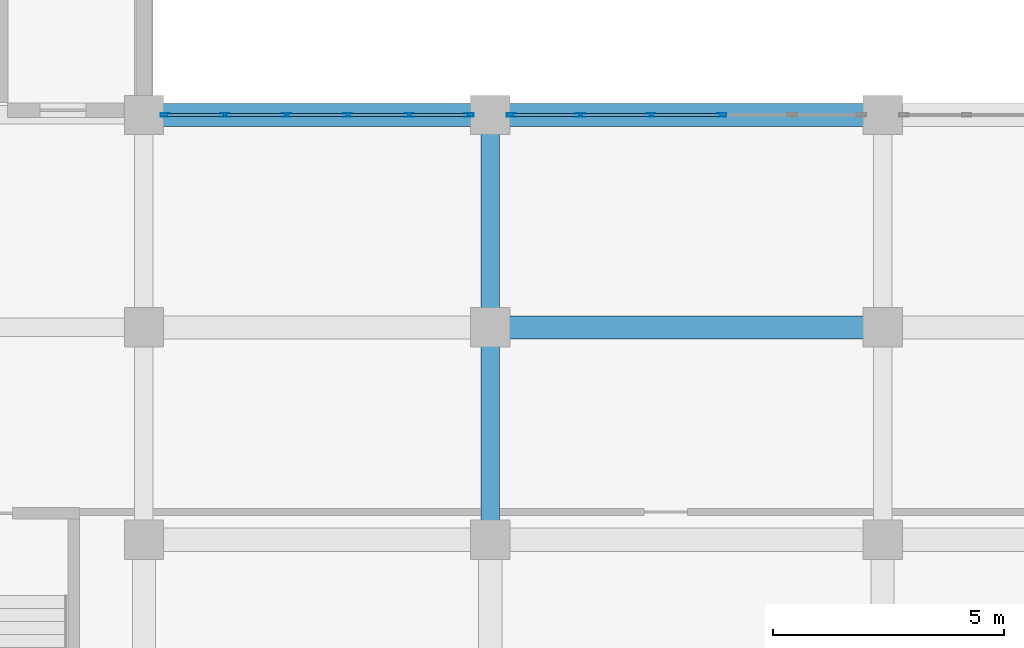
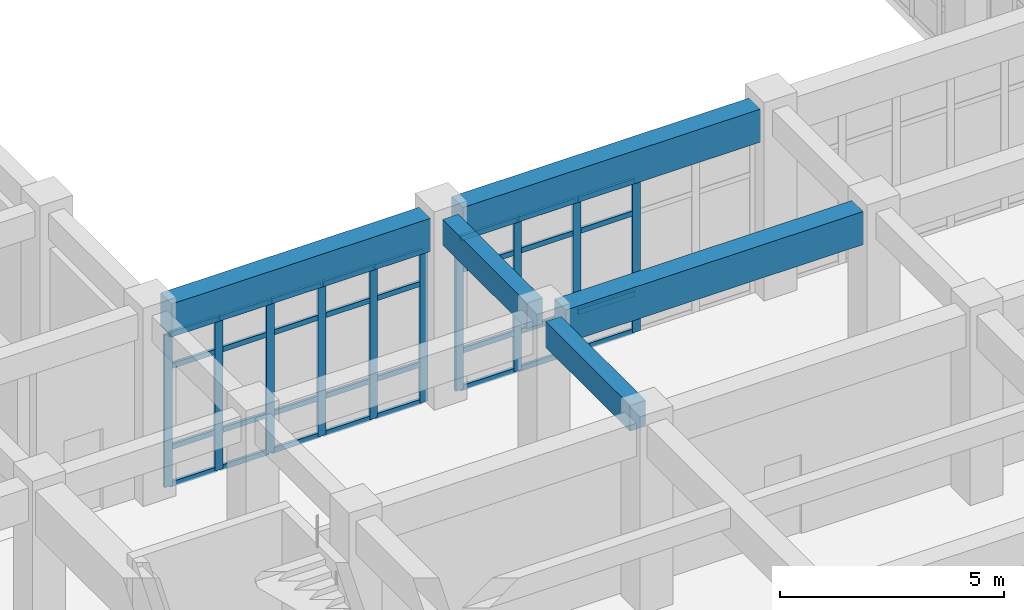
# One storey, part 9 of 84: 42 members, 5 beams, 2 elements without a shape of their own.
"""IFC4 building model written with IfcOpenShell, lengths in metres."""

import ifcopenshell
import ifcopenshell.guid

model = None  # the IFC model being written
_history = None  # IfcOwnerHistory: only IFC2X3 demands one
_inside = {}  # id of a spatial element -> (the spatial element, [elements in it])
_under = {}  # id of a project, library or spatial element -> (it, [spatial elements below it])
_declared = {}  # id of a project -> (the project, [libraries it declares])
_typed = {}  # id of a type object -> (the type object, [elements of that type])
_made_of = {}  # id of a material, layer set ... -> (it, [elements and type objects made of it])


def new_model(schema):
    """Start an empty IFC model of exactly this schema.

    Asked for "IFC4X3", IfcOpenShell would pick the latest addendum, in which some entities
    have other attributes; the version numbers below select the first issue.
    IFC2X3 requires an IfcOwnerHistory on every rooted entity: one is made here for all.
    """
    global model, _history
    if schema == "IFC4X3":
        model = ifcopenshell.file(schema_version=(4, 3, 0, 0))
    else:
        model = ifcopenshell.file(schema=schema)
    _inside.clear()
    _under.clear()
    _declared.clear()
    _typed.clear()
    _made_of.clear()
    _history = None
    if model.schema == "IFC2X3":
        org = make("IfcOrganization", Name="unknown")
        user = make(
            "IfcPersonAndOrganization",
            ThePerson=make("IfcPerson", FamilyName="unknown"),
            TheOrganization=org,
        )
        app = make(
            "IfcApplication",
            ApplicationDeveloper=org,
            Version="unknown",
            ApplicationFullName="unknown",
            ApplicationIdentifier="unknown",
        )
        _history = make(
            "IfcOwnerHistory",
            OwningUser=user,
            OwningApplication=app,
            ChangeAction="ADDED",
            CreationDate=0,
        )
    return model


def make(cls, **values):
    """One entity of the class cls with the attributes given. An attribute that is None is left unset."""
    return model.create_entity(
        cls, **{name: value for name, value in values.items() if value is not None}
    )


def rooted(cls, **values):
    """An entity with a GlobalId (a new one), such as an element, a storey or a relation."""
    return make(cls, GlobalId=ifcopenshell.guid.new(), OwnerHistory=_history, **values)


def si_unit(unit_type, name, prefix=None):
    """IfcSIUnit, for example si_unit("LENGTHUNIT", "METRE", prefix="MILLI")."""
    return make("IfcSIUnit", UnitType=unit_type, Prefix=prefix, Name=name)


def assignment(units):
    """IfcUnitAssignment: the units of a project."""
    return None if units is None else make("IfcUnitAssignment", Units=units)


def point(xyz):
    """IfcCartesianPoint."""
    return None if xyz is None else make("IfcCartesianPoint", Coordinates=xyz)


def direction(xyz):
    """IfcDirection."""
    return None if xyz is None else make("IfcDirection", DirectionRatios=xyz)


def frame(location, z_axis=None, x_axis=None):
    """IfcAxis2Placement3D, a coordinate frame: its origin and axes. An axis left out is left unset."""
    return make(
        "IfcAxis2Placement3D",
        Location=point(location),
        Axis=direction(z_axis),
        RefDirection=direction(x_axis),
    )


def frame_2d(location, x_axis=None):
    """IfcAxis2Placement2D, a coordinate frame in the plane: its origin and x axis."""
    return make(
        "IfcAxis2Placement2D", Location=point(location), RefDirection=direction(x_axis)
    )


def origin():
    """The frame at (0, 0, 0) with its axes left unset."""
    return frame((0.0, 0.0, 0.0))


def origin_2d():
    """The frame at (0, 0) in the plane with its x axis left unset."""
    return frame_2d((0.0, 0.0))


def place(relative_to, where):
    """IfcLocalPlacement: puts the frame where relative to a parent placement (None: the world)."""
    return make(
        "IfcLocalPlacement", PlacementRelTo=relative_to, RelativePlacement=where
    )


def context(
    kind, dimensions, precision=None, world=None, true_north=None, identifier=None
):
    """IfcGeometricRepresentationContext, for example the 3D "Model" context."""
    return make(
        "IfcGeometricRepresentationContext",
        ContextIdentifier=identifier,
        ContextType=kind,
        CoordinateSpaceDimension=dimensions,
        Precision=precision,
        WorldCoordinateSystem=world,
        TrueNorth=true_north,
    )


def subcontext(parent, identifier, kind, view, scale=None):
    """IfcGeometricRepresentationSubContext, for example "Body" below "Model"."""
    return make(
        "IfcGeometricRepresentationSubContext",
        ContextIdentifier=identifier,
        ContextType=kind,
        ParentContext=parent,
        TargetScale=scale,
        TargetView=view,
    )


def project(units=None, contexts=None):
    """IfcProject with its units and contexts."""
    return rooted(
        "IfcProject",
        Name="project",
        RepresentationContexts=contexts,
        UnitsInContext=assignment(units),
    )


def spatial(cls, under=None, at=None, **own):
    """A site, building, storey or space (cls), placed at a placement, below another one or the project."""
    s = rooted(cls, ObjectPlacement=at, **own)
    if under is not None:
        _under.setdefault(under.id(), (under, []))[1].append(s)
    return s


def profile(cls, at=None, kind="AREA", **sizes):
    """A parametric profile (cls). Its sizes go by their IFC names, for example OverallWidth=200.0."""
    return make(cls, ProfileType=kind, Position=at, **sizes)


def rectangle(**sizes):
    """IfcRectangleProfileDef."""
    return profile("IfcRectangleProfileDef", **sizes)


def hollow_rectangle(**sizes):
    """IfcRectangleHollowProfileDef."""
    return profile("IfcRectangleHollowProfileDef", **sizes)


def extrude(swept, where, along, depth):
    """IfcExtrudedAreaSolid: the profile swept, set in the frame where, extruded along a direction by depth."""
    return make(
        "IfcExtrudedAreaSolid",
        SweptArea=swept,
        Position=where,
        ExtrudedDirection=direction(along),
        Depth=depth,
    )


def shape(context_of_items, identifier, shape_type, items):
    """IfcShapeRepresentation: the items that make up one representation, for example the "Body"."""
    return make(
        "IfcShapeRepresentation",
        ContextOfItems=context_of_items,
        RepresentationIdentifier=identifier,
        RepresentationType=shape_type,
        Items=items,
    )


def material(Name=None, Category=None):
    """IfcMaterial."""
    return make("IfcMaterial", Name=Name, Category=Category)


def layer(
    of_material, thickness, ventilated=None, Name=None, Category=None, Priority=None
):
    """IfcMaterialLayer: one layer of a wall or slab, of a material (None: an air gap)."""
    return make(
        "IfcMaterialLayer",
        Material=of_material,
        LayerThickness=thickness,
        IsVentilated=ventilated,
        Name=Name,
        Category=Category,
        Priority=Priority,
    )


def layer_set(layers, Name=None):
    """IfcMaterialLayerSet."""
    return make("IfcMaterialLayerSet", MaterialLayers=layers, LayerSetName=Name)


def material_profile(
    of_material, cross_section, Name=None, Category=None, Priority=None
):
    """IfcMaterialProfile: a cross section and its material."""
    return make(
        "IfcMaterialProfile",
        Name=Name,
        Material=of_material,
        Profile=cross_section,
        Priority=Priority,
        Category=Category,
    )


def profile_set(profiles, Name=None, composite=None):
    """IfcMaterialProfileSet."""
    return make(
        "IfcMaterialProfileSet",
        Name=Name,
        MaterialProfiles=profiles,
        CompositeProfile=composite,
    )


def made_of(thing, what):
    """Note that an element or type object is made of a material, layer set ...; save() writes the relation."""
    if what is not None:
        _made_of.setdefault(what.id(), (what, []))[1].append(thing)
    return thing


def type_object(cls, material=None, **own):
    """A type object (cls), such as IfcWallType, which elements share."""
    return made_of(rooted(cls, **own), material)


def element(
    cls,
    number,
    at=None,
    inside=None,
    cuts=None,
    type_object=None,
    material=None,
    context=None,
    identifier="Body",
    shape_type=None,
    held_by="IfcProductDefinitionShape",
    body=None,
    shapes=None,
    **own,
):
    """One element of the class cls, such as IfcWall. Its Tag is "e" and its number.

    at: its placement. inside: the storey or other place that contains it. cuts: it is an
    opening in that element (IfcRelVoidsElement). A single representation is given by context,
    identifier, shape_type and body (its items); several are given by shapes. held_by: the class
    of the entity that holds the representations. save() writes the other relations.
    """
    e = rooted(cls, Tag="e%d" % number, ObjectPlacement=at, **own)
    if body is not None:
        shapes = [shape(context, identifier, shape_type, body)]
    if shapes is not None:
        e.Representation = make(held_by, Representations=shapes)
    if inside is not None:
        _inside.setdefault(inside.id(), (inside, []))[1].append(e)
    if cuts is not None:
        rooted(
            "IfcRelVoidsElement", RelatingBuildingElement=cuts, RelatedOpeningElement=e
        )
    if type_object is not None:
        _typed.setdefault(type_object.id(), (type_object, []))[1].append(e)
    return made_of(e, material)


def aggregate(whole, parts):
    """IfcRelAggregates: a whole, such as a stair, and the parts it consists of."""
    return rooted("IfcRelAggregates", RelatingObject=whole, RelatedObjects=parts)


def save(model, path):
    """Write the relations noted so far, then the file.

    IfcRelAggregates (storeys below a building ...), IfcRelContainedInSpatialStructure (elements
    in a storey), IfcRelDefinesByType, IfcRelAssociatesMaterial and IfcRelDeclares: one each for
    every whole, place, type object, material and project.
    """
    for whole, parts in _under.values():
        aggregate(whole, parts)
    for where, things in _inside.values():
        rooted(
            "IfcRelContainedInSpatialStructure",
            RelatedElements=things,
            RelatingStructure=where,
        )
    for kind, things in _typed.values():
        rooted("IfcRelDefinesByType", RelatedObjects=things, RelatingType=kind)
    for what, things in _made_of.values():
        rooted("IfcRelAssociatesMaterial", RelatedObjects=things, RelatingMaterial=what)
    for by, libraries in _declared.values():
        rooted("IfcRelDeclares", RelatingContext=by, RelatedDefinitions=libraries)
    model.write(path)


model = new_model("IFC4")

# Units and contexts
model_context = context("Model", 3, precision=1e-05, world=origin(), true_north=direction((0.0, 1.0)))
body_context = subcontext(model_context, "Body", "Model", "MODEL_VIEW")
ifc_project = project(units=[si_unit("LENGTHUNIT", "METRE"), si_unit("AREAUNIT", "SQUARE_METRE"), si_unit("VOLUMEUNIT", "CUBIC_METRE"), si_unit("PLANEANGLEUNIT", "RADIAN"), si_unit("MASSUNIT", "GRAM", prefix="KILO")], contexts=[model_context])

# Site, building, storey
site_placement = place(None, origin())
site = spatial("IfcSite", under=ifc_project, at=site_placement, CompositionType="ELEMENT")
building_placement = place(site_placement, origin())
building = spatial("IfcBuilding", under=site, at=building_placement, Name="Muzn Square Opera House", CompositionType="ELEMENT")
storey_placement = place(building_placement, origin())
storey = spatial("IfcBuildingStorey", under=building, at=storey_placement, Name="L00", CompositionType="ELEMENT", Elevation=0.0)

# Curtain wall, members
ifc_material_1 = material(Name="Low-E laminated acoustic double glazing", Category="glass")
ifc_layer_1 = layer(ifc_material_1, 0.159912109375, Name="Low-E laminated acoustic double glazing", Category="glass")
ifc_layer_set_1 = layer_set([ifc_layer_1], Name="Low-E laminated acoustic double glazing")
curtain_wall_type_1 = type_object("IfcCurtainWallType", Name="Glazed Curtain Wall WestCloisterS 6650x4150", PredefinedType="USERDEFINED", material=ifc_layer_set_1)
curtain_wall_1_placement = place(storey_placement, origin())
curtain_wall_1 = element("IfcCurtainWall", 1, at=curtain_wall_1_placement, inside=storey, type_object=curtain_wall_type_1, Name="Glazed Curtain Wall CW-L00-069", ObjectType="GLAZED CURTAIN WALL", PredefinedType="USERDEFINED")
ifc_material_2 = material(Name="Anodised bronze aluminium 6063-T6", Category="metal")
ifc_material_profile_1 = material_profile(ifc_material_2, hollow_rectangle(XDim=0.070068359375, YDim=0.199951171875, WallThickness=0.0048828125, at=origin_2d()), Name="ALU 200x70x5", Category="metal")
ifc_profile_set_1 = profile_set([ifc_material_profile_1], Name="Anodised bronze aluminium 6063-T6")
member_type_1 = type_object("IfcMemberType", Name="Curtain Wall Mullion 200x70", PredefinedType="MULLION", material=ifc_profile_set_1)
member_1_placement = place(storey_placement, frame((19.4599609375, 31.199951171875, 0.0), z_axis=(0.0, 0.0, 1.0), x_axis=(0.0, 1.0, 0.0)))
member_1 = element("IfcMember", 2, at=member_1_placement, type_object=member_type_1, Name="CW-WCS-66x41 mullion 1", PredefinedType="MULLION", context=body_context, shape_type="SweptSolid", body=[
    extrude(hollow_rectangle(XDim=0.070068359375, YDim=0.199951171875, WallThickness=0.0048828125, at=origin_2d()), origin(), (0.0, 0.0, 1.0), 4.14990234375),
])
member_2_placement = place(storey_placement, frame((20.7548828125, 31.199951171875, 0.0), z_axis=(0.0, 0.0, 1.0), x_axis=(0.0, 1.0, 0.0)))
member_2 = element("IfcMember", 3, at=member_2_placement, type_object=member_type_1, Name="CW-WCS-66x41 mullion 2", PredefinedType="MULLION", context=body_context, shape_type="SweptSolid", body=[
    extrude(hollow_rectangle(XDim=0.070068359375, YDim=0.199951171875, WallThickness=0.0048828125, at=origin_2d()), origin(), (0.0, 0.0, 1.0), 4.14990234375),
])
member_3_placement = place(storey_placement, frame((22.0849609375, 31.199951171875, 0.0), z_axis=(0.0, 0.0, 1.0), x_axis=(0.0, 1.0, 0.0)))
member_3 = element("IfcMember", 4, at=member_3_placement, type_object=member_type_1, Name="CW-WCS-66x41 mullion 3", PredefinedType="MULLION", context=body_context, shape_type="SweptSolid", body=[
    extrude(hollow_rectangle(XDim=0.070068359375, YDim=0.199951171875, WallThickness=0.0048828125, at=origin_2d()), origin(), (0.0, 0.0, 1.0), 4.14990234375),
])
member_4_placement = place(storey_placement, frame((23.4150390625, 31.199951171875, 0.0), z_axis=(0.0, 0.0, 1.0), x_axis=(0.0, 1.0, 0.0)))
member_4 = element("IfcMember", 5, at=member_4_placement, type_object=member_type_1, Name="CW-WCS-66x41 mullion 4", PredefinedType="MULLION", context=body_context, shape_type="SweptSolid", body=[
    extrude(hollow_rectangle(XDim=0.070068359375, YDim=0.199951171875, WallThickness=0.0048828125, at=origin_2d()), origin(), (0.0, 0.0, 1.0), 4.14990234375),
])
member_5_placement = place(storey_placement, frame((24.7451171875, 31.199951171875, 0.0), z_axis=(0.0, 0.0, 1.0), x_axis=(0.0, 1.0, 0.0)))
member_5 = element("IfcMember", 6, at=member_5_placement, type_object=member_type_1, Name="CW-WCS-66x41 mullion 5", PredefinedType="MULLION", context=body_context, shape_type="SweptSolid", body=[
    extrude(hollow_rectangle(XDim=0.070068359375, YDim=0.199951171875, WallThickness=0.0048828125, at=origin_2d()), origin(), (0.0, 0.0, 1.0), 4.14990234375),
])
member_6_placement = place(storey_placement, frame((26.0400390625, 31.199951171875, 0.0), z_axis=(0.0, 0.0, 1.0), x_axis=(0.0, 1.0, 0.0)))
member_6 = element("IfcMember", 7, at=member_6_placement, type_object=member_type_1, Name="CW-WCS-66x41 mullion 6", PredefinedType="MULLION", context=body_context, shape_type="SweptSolid", body=[
    extrude(hollow_rectangle(XDim=0.070068359375, YDim=0.199951171875, WallThickness=0.0048828125, at=origin_2d()), origin(), (0.0, 0.0, 1.0), 4.14990234375),
])

ifc_layer_2 = layer(ifc_material_1, 0.159912109375, Name="Low-E laminated acoustic double glazing", Category="glass")
ifc_layer_set_2 = layer_set([ifc_layer_2], Name="Low-E laminated acoustic double glazing")
curtain_wall_type_2 = type_object("IfcCurtainWallType", Name="Glazed Curtain Wall WestCloisterS 7650x4150", PredefinedType="USERDEFINED", material=ifc_layer_set_2)
curtain_wall_2_placement = place(storey_placement, origin())
curtain_wall_2 = element("IfcCurtainWall", 8, at=curtain_wall_2_placement, inside=storey, type_object=curtain_wall_type_2, Name="Glazed Curtain Wall CW-L00-071", ObjectType="GLAZED CURTAIN WALL", PredefinedType="USERDEFINED")
member_7_placement = place(storey_placement, frame((26.9599609375, 31.199951171875, 0.0), z_axis=(0.0, 0.0, 1.0), x_axis=(0.0, 1.0, 0.0)))
member_7 = element("IfcMember", 9, at=member_7_placement, type_object=member_type_1, Name="CW-WCS-76x41 mullion 1", PredefinedType="MULLION", context=body_context, shape_type="SweptSolid", body=[
    extrude(hollow_rectangle(XDim=0.070068359375, YDim=0.199951171875, WallThickness=0.0048828125, at=origin_2d()), origin(), (0.0, 0.0, 1.0), 4.14990234375),
])
member_8_placement = place(storey_placement, frame((28.455078125, 31.199951171875, 0.0), z_axis=(0.0, 0.0, 1.0), x_axis=(0.0, 1.0, 0.0)))
member_8 = element("IfcMember", 10, at=member_8_placement, type_object=member_type_1, Name="CW-WCS-76x41 mullion 2", PredefinedType="MULLION", context=body_context, shape_type="SweptSolid", body=[
    extrude(hollow_rectangle(XDim=0.070068359375, YDim=0.199951171875, WallThickness=0.0048828125, at=origin_2d()), origin(), (0.0, 0.0, 1.0), 4.14990234375),
])
member_9_placement = place(storey_placement, frame((29.985107421875, 31.199951171875, 0.0), z_axis=(0.0, 0.0, 1.0), x_axis=(0.0, 1.0, 0.0)))
member_9 = element("IfcMember", 11, at=member_9_placement, type_object=member_type_1, Name="CW-WCS-76x41 mullion 3", PredefinedType="MULLION", context=body_context, shape_type="SweptSolid", body=[
    extrude(hollow_rectangle(XDim=0.070068359375, YDim=0.199951171875, WallThickness=0.0048828125, at=origin_2d()), origin(), (0.0, 0.0, 1.0), 4.14990234375),
])
member_10_placement = place(storey_placement, frame((31.514892578125, 31.199951171875, 0.0), z_axis=(0.0, 0.0, 1.0), x_axis=(0.0, 1.0, 0.0)))
member_10 = element("IfcMember", 12, at=member_10_placement, type_object=member_type_1, Name="CW-WCS-76x41 mullion 4", PredefinedType="MULLION", context=body_context, shape_type="SweptSolid", body=[
    extrude(hollow_rectangle(XDim=0.070068359375, YDim=0.199951171875, WallThickness=0.0048828125, at=origin_2d()), origin(), (0.0, 0.0, 1.0), 4.14990234375),
])

# Member
ifc_material_profile_2 = material_profile(ifc_material_2, hollow_rectangle(XDim=0.070068359375, YDim=0.139892578125, WallThickness=0.00390625, at=origin_2d()), Name="ALU 140x70x4", Category="metal")
ifc_profile_set_2 = profile_set([ifc_material_profile_2], Name="Anodised bronze aluminium 6063-T6")
member_type_2 = type_object("IfcMemberType", Name="Curtain Wall Transom 140x70", PredefinedType="USERDEFINED", material=ifc_profile_set_2)
member_11_placement = place(storey_placement, frame((19.4951171875, 31.199951171875, 0.034912109375), z_axis=(1.0, 0.0, 0.0), x_axis=(0.0, 1.0, 0.0)))
member_11 = element("IfcMember", 13, at=member_11_placement, type_object=member_type_2, Name="CW-WCS-66x41 transom 1.1", ObjectType="TRANSOM", PredefinedType="USERDEFINED", context=body_context, shape_type="SweptSolid", body=[
    extrude(hollow_rectangle(XDim=0.070068359375, YDim=0.139892578125, WallThickness=0.00390625, at=origin_2d()), origin(), (0.0, 0.0, 1.0), 1.224853515625),
])

member_12_placement = place(storey_placement, frame((19.4951171875, 31.199951171875, 1.050048828125), z_axis=(1.0, 0.0, 0.0), x_axis=(0.0, 1.0, 0.0)))
member_12 = element("IfcMember", 14, at=member_12_placement, type_object=member_type_2, Name="CW-WCS-66x41 transom 1.2", ObjectType="TRANSOM", PredefinedType="USERDEFINED", context=body_context, shape_type="SweptSolid", body=[
    extrude(hollow_rectangle(XDim=0.070068359375, YDim=0.139892578125, WallThickness=0.00390625, at=origin_2d()), origin(), (0.0, 0.0, 1.0), 1.224853515625),
])

member_13_placement = place(storey_placement, frame((19.4951171875, 31.199951171875, 3.25), z_axis=(1.0, 0.0, 0.0), x_axis=(0.0, 1.0, 0.0)))
member_13 = element("IfcMember", 15, at=member_13_placement, type_object=member_type_2, Name="CW-WCS-66x41 transom 1.3", ObjectType="TRANSOM", PredefinedType="USERDEFINED", context=body_context, shape_type="SweptSolid", body=[
    extrude(hollow_rectangle(XDim=0.070068359375, YDim=0.139892578125, WallThickness=0.00390625, at=origin_2d()), origin(), (0.0, 0.0, 1.0), 1.224853515625),
])

member_14_placement = place(storey_placement, frame((19.4951171875, 31.199951171875, 4.114990234375), z_axis=(1.0, 0.0, 0.0), x_axis=(0.0, 1.0, 0.0)))
member_14 = element("IfcMember", 16, at=member_14_placement, type_object=member_type_2, Name="CW-WCS-66x41 transom 1.4", ObjectType="TRANSOM", PredefinedType="USERDEFINED", context=body_context, shape_type="SweptSolid", body=[
    extrude(hollow_rectangle(XDim=0.070068359375, YDim=0.139892578125, WallThickness=0.00390625, at=origin_2d()), origin(), (0.0, 0.0, 1.0), 1.224853515625),
])

member_15_placement = place(storey_placement, frame((20.7900390625, 31.199951171875, 0.034912109375), z_axis=(1.0, 0.0, 0.0), x_axis=(0.0, 1.0, 0.0)))
member_15 = element("IfcMember", 17, at=member_15_placement, type_object=member_type_2, Name="CW-WCS-66x41 transom 2.1", ObjectType="TRANSOM", PredefinedType="USERDEFINED", context=body_context, shape_type="SweptSolid", body=[
    extrude(hollow_rectangle(XDim=0.070068359375, YDim=0.139892578125, WallThickness=0.00390625, at=origin_2d()), origin(), (0.0, 0.0, 1.0), 1.260009765625),
])

member_16_placement = place(storey_placement, frame((20.7900390625, 31.199951171875, 1.050048828125), z_axis=(1.0, 0.0, 0.0), x_axis=(0.0, 1.0, 0.0)))
member_16 = element("IfcMember", 18, at=member_16_placement, type_object=member_type_2, Name="CW-WCS-66x41 transom 2.2", ObjectType="TRANSOM", PredefinedType="USERDEFINED", context=body_context, shape_type="SweptSolid", body=[
    extrude(hollow_rectangle(XDim=0.070068359375, YDim=0.139892578125, WallThickness=0.00390625, at=origin_2d()), origin(), (0.0, 0.0, 1.0), 1.260009765625),
])

member_17_placement = place(storey_placement, frame((20.7900390625, 31.199951171875, 3.25), z_axis=(1.0, 0.0, 0.0), x_axis=(0.0, 1.0, 0.0)))
member_17 = element("IfcMember", 19, at=member_17_placement, type_object=member_type_2, Name="CW-WCS-66x41 transom 2.3", ObjectType="TRANSOM", PredefinedType="USERDEFINED", context=body_context, shape_type="SweptSolid", body=[
    extrude(hollow_rectangle(XDim=0.070068359375, YDim=0.139892578125, WallThickness=0.00390625, at=origin_2d()), origin(), (0.0, 0.0, 1.0), 1.260009765625),
])

member_18_placement = place(storey_placement, frame((20.7900390625, 31.199951171875, 4.114990234375), z_axis=(1.0, 0.0, 0.0), x_axis=(0.0, 1.0, 0.0)))
member_18 = element("IfcMember", 20, at=member_18_placement, type_object=member_type_2, Name="CW-WCS-66x41 transom 2.4", ObjectType="TRANSOM", PredefinedType="USERDEFINED", context=body_context, shape_type="SweptSolid", body=[
    extrude(hollow_rectangle(XDim=0.070068359375, YDim=0.139892578125, WallThickness=0.00390625, at=origin_2d()), origin(), (0.0, 0.0, 1.0), 1.260009765625),
])

member_19_placement = place(storey_placement, frame((22.1201171875, 31.199951171875, 0.034912109375), z_axis=(1.0, 0.0, 0.0), x_axis=(0.0, 1.0, 0.0)))
member_19 = element("IfcMember", 21, at=member_19_placement, type_object=member_type_2, Name="CW-WCS-66x41 transom 3.1", ObjectType="TRANSOM", PredefinedType="USERDEFINED", context=body_context, shape_type="SweptSolid", body=[
    extrude(hollow_rectangle(XDim=0.070068359375, YDim=0.139892578125, WallThickness=0.00390625, at=origin_2d()), origin(), (0.0, 0.0, 1.0), 1.259765625),
])

member_20_placement = place(storey_placement, frame((22.1201171875, 31.199951171875, 1.050048828125), z_axis=(1.0, 0.0, 0.0), x_axis=(0.0, 1.0, 0.0)))
member_20 = element("IfcMember", 22, at=member_20_placement, type_object=member_type_2, Name="CW-WCS-66x41 transom 3.2", ObjectType="TRANSOM", PredefinedType="USERDEFINED", context=body_context, shape_type="SweptSolid", body=[
    extrude(hollow_rectangle(XDim=0.070068359375, YDim=0.139892578125, WallThickness=0.00390625, at=origin_2d()), origin(), (0.0, 0.0, 1.0), 1.259765625),
])

member_21_placement = place(storey_placement, frame((22.1201171875, 31.199951171875, 3.25), z_axis=(1.0, 0.0, 0.0), x_axis=(0.0, 1.0, 0.0)))
member_21 = element("IfcMember", 23, at=member_21_placement, type_object=member_type_2, Name="CW-WCS-66x41 transom 3.3", ObjectType="TRANSOM", PredefinedType="USERDEFINED", context=body_context, shape_type="SweptSolid", body=[
    extrude(hollow_rectangle(XDim=0.070068359375, YDim=0.139892578125, WallThickness=0.00390625, at=origin_2d()), origin(), (0.0, 0.0, 1.0), 1.259765625),
])

member_22_placement = place(storey_placement, frame((22.1201171875, 31.199951171875, 4.114990234375), z_axis=(1.0, 0.0, 0.0), x_axis=(0.0, 1.0, 0.0)))
member_22 = element("IfcMember", 24, at=member_22_placement, type_object=member_type_2, Name="CW-WCS-66x41 transom 3.4", ObjectType="TRANSOM", PredefinedType="USERDEFINED", context=body_context, shape_type="SweptSolid", body=[
    extrude(hollow_rectangle(XDim=0.070068359375, YDim=0.139892578125, WallThickness=0.00390625, at=origin_2d()), origin(), (0.0, 0.0, 1.0), 1.259765625),
])

member_23_placement = place(storey_placement, frame((23.449951171875, 31.199951171875, 0.034912109375), z_axis=(1.0, 0.0, 0.0), x_axis=(0.0, 1.0, 0.0)))
member_23 = element("IfcMember", 25, at=member_23_placement, type_object=member_type_2, Name="CW-WCS-66x41 transom 4.1", ObjectType="TRANSOM", PredefinedType="USERDEFINED", context=body_context, shape_type="SweptSolid", body=[
    extrude(hollow_rectangle(XDim=0.070068359375, YDim=0.139892578125, WallThickness=0.00390625, at=origin_2d()), origin(), (0.0, 0.0, 1.0), 1.260009765625),
])

member_24_placement = place(storey_placement, frame((23.449951171875, 31.199951171875, 1.050048828125), z_axis=(1.0, 0.0, 0.0), x_axis=(0.0, 1.0, 0.0)))
member_24 = element("IfcMember", 26, at=member_24_placement, type_object=member_type_2, Name="CW-WCS-66x41 transom 4.2", ObjectType="TRANSOM", PredefinedType="USERDEFINED", context=body_context, shape_type="SweptSolid", body=[
    extrude(hollow_rectangle(XDim=0.070068359375, YDim=0.139892578125, WallThickness=0.00390625, at=origin_2d()), origin(), (0.0, 0.0, 1.0), 1.260009765625),
])

member_25_placement = place(storey_placement, frame((23.449951171875, 31.199951171875, 3.25), z_axis=(1.0, 0.0, 0.0), x_axis=(0.0, 1.0, 0.0)))
member_25 = element("IfcMember", 27, at=member_25_placement, type_object=member_type_2, Name="CW-WCS-66x41 transom 4.3", ObjectType="TRANSOM", PredefinedType="USERDEFINED", context=body_context, shape_type="SweptSolid", body=[
    extrude(hollow_rectangle(XDim=0.070068359375, YDim=0.139892578125, WallThickness=0.00390625, at=origin_2d()), origin(), (0.0, 0.0, 1.0), 1.260009765625),
])

member_26_placement = place(storey_placement, frame((23.449951171875, 31.199951171875, 4.114990234375), z_axis=(1.0, 0.0, 0.0), x_axis=(0.0, 1.0, 0.0)))
member_26 = element("IfcMember", 28, at=member_26_placement, type_object=member_type_2, Name="CW-WCS-66x41 transom 4.4", ObjectType="TRANSOM", PredefinedType="USERDEFINED", context=body_context, shape_type="SweptSolid", body=[
    extrude(hollow_rectangle(XDim=0.070068359375, YDim=0.139892578125, WallThickness=0.00390625, at=origin_2d()), origin(), (0.0, 0.0, 1.0), 1.260009765625),
])

member_27_placement = place(storey_placement, frame((24.780029296875, 31.199951171875, 0.034912109375), z_axis=(1.0, 0.0, 0.0), x_axis=(0.0, 1.0, 0.0)))
member_27 = element("IfcMember", 29, at=member_27_placement, type_object=member_type_2, Name="CW-WCS-66x41 transom 5.1", ObjectType="TRANSOM", PredefinedType="USERDEFINED", context=body_context, shape_type="SweptSolid", body=[
    extrude(hollow_rectangle(XDim=0.070068359375, YDim=0.139892578125, WallThickness=0.00390625, at=origin_2d()), origin(), (0.0, 0.0, 1.0), 1.224853515625),
])

member_28_placement = place(storey_placement, frame((24.780029296875, 31.199951171875, 1.050048828125), z_axis=(1.0, 0.0, 0.0), x_axis=(0.0, 1.0, 0.0)))
member_28 = element("IfcMember", 30, at=member_28_placement, type_object=member_type_2, Name="CW-WCS-66x41 transom 5.2", ObjectType="TRANSOM", PredefinedType="USERDEFINED", context=body_context, shape_type="SweptSolid", body=[
    extrude(hollow_rectangle(XDim=0.070068359375, YDim=0.139892578125, WallThickness=0.00390625, at=origin_2d()), origin(), (0.0, 0.0, 1.0), 1.224853515625),
])

member_29_placement = place(storey_placement, frame((24.780029296875, 31.199951171875, 3.25), z_axis=(1.0, 0.0, 0.0), x_axis=(0.0, 1.0, 0.0)))
member_29 = element("IfcMember", 31, at=member_29_placement, type_object=member_type_2, Name="CW-WCS-66x41 transom 5.3", ObjectType="TRANSOM", PredefinedType="USERDEFINED", context=body_context, shape_type="SweptSolid", body=[
    extrude(hollow_rectangle(XDim=0.070068359375, YDim=0.139892578125, WallThickness=0.00390625, at=origin_2d()), origin(), (0.0, 0.0, 1.0), 1.224853515625),
])

member_30_placement = place(storey_placement, frame((24.780029296875, 31.199951171875, 4.114990234375), z_axis=(1.0, 0.0, 0.0), x_axis=(0.0, 1.0, 0.0)))
member_30 = element("IfcMember", 32, at=member_30_placement, type_object=member_type_2, Name="CW-WCS-66x41 transom 5.4", ObjectType="TRANSOM", PredefinedType="USERDEFINED", context=body_context, shape_type="SweptSolid", body=[
    extrude(hollow_rectangle(XDim=0.070068359375, YDim=0.139892578125, WallThickness=0.00390625, at=origin_2d()), origin(), (0.0, 0.0, 1.0), 1.224853515625),
])

aggregate(curtain_wall_1, [member_1, member_2, member_3, member_4, member_5, member_6, member_11, member_12, member_13, member_14, member_15, member_16, member_17, member_18, member_19, member_20, member_21, member_22, member_23, member_24, member_25, member_26, member_27, member_28, member_29, member_30])

member_31_placement = place(storey_placement, frame((26.9951171875, 31.199951171875, 0.034912109375), z_axis=(1.0, 0.0, 0.0), x_axis=(0.0, 1.0, 0.0)))
member_31 = element("IfcMember", 33, at=member_31_placement, type_object=member_type_2, Name="CW-WCS-76x41 transom 1.1", ObjectType="TRANSOM", PredefinedType="USERDEFINED", context=body_context, shape_type="SweptSolid", body=[
    extrude(hollow_rectangle(XDim=0.070068359375, YDim=0.139892578125, WallThickness=0.00390625, at=origin_2d()), origin(), (0.0, 0.0, 1.0), 1.4248046875),
])

member_32_placement = place(storey_placement, frame((26.9951171875, 31.199951171875, 1.050048828125), z_axis=(1.0, 0.0, 0.0), x_axis=(0.0, 1.0, 0.0)))
member_32 = element("IfcMember", 34, at=member_32_placement, type_object=member_type_2, Name="CW-WCS-76x41 transom 1.2", ObjectType="TRANSOM", PredefinedType="USERDEFINED", context=body_context, shape_type="SweptSolid", body=[
    extrude(hollow_rectangle(XDim=0.070068359375, YDim=0.139892578125, WallThickness=0.00390625, at=origin_2d()), origin(), (0.0, 0.0, 1.0), 1.4248046875),
])

member_33_placement = place(storey_placement, frame((26.9951171875, 31.199951171875, 3.25), z_axis=(1.0, 0.0, 0.0), x_axis=(0.0, 1.0, 0.0)))
member_33 = element("IfcMember", 35, at=member_33_placement, type_object=member_type_2, Name="CW-WCS-76x41 transom 1.3", ObjectType="TRANSOM", PredefinedType="USERDEFINED", context=body_context, shape_type="SweptSolid", body=[
    extrude(hollow_rectangle(XDim=0.070068359375, YDim=0.139892578125, WallThickness=0.00390625, at=origin_2d()), origin(), (0.0, 0.0, 1.0), 1.4248046875),
])

member_34_placement = place(storey_placement, frame((26.9951171875, 31.199951171875, 4.114990234375), z_axis=(1.0, 0.0, 0.0), x_axis=(0.0, 1.0, 0.0)))
member_34 = element("IfcMember", 36, at=member_34_placement, type_object=member_type_2, Name="CW-WCS-76x41 transom 1.4", ObjectType="TRANSOM", PredefinedType="USERDEFINED", context=body_context, shape_type="SweptSolid", body=[
    extrude(hollow_rectangle(XDim=0.070068359375, YDim=0.139892578125, WallThickness=0.00390625, at=origin_2d()), origin(), (0.0, 0.0, 1.0), 1.4248046875),
])

member_35_placement = place(storey_placement, frame((28.489990234375, 31.199951171875, 0.034912109375), z_axis=(1.0, 0.0, 0.0), x_axis=(0.0, 1.0, 0.0)))
member_35 = element("IfcMember", 37, at=member_35_placement, type_object=member_type_2, Name="CW-WCS-76x41 transom 2.1", ObjectType="TRANSOM", PredefinedType="USERDEFINED", context=body_context, shape_type="SweptSolid", body=[
    extrude(hollow_rectangle(XDim=0.070068359375, YDim=0.139892578125, WallThickness=0.00390625, at=origin_2d()), origin(), (0.0, 0.0, 1.0), 1.4599609375),
])

member_36_placement = place(storey_placement, frame((28.489990234375, 31.199951171875, 1.050048828125), z_axis=(1.0, 0.0, 0.0), x_axis=(0.0, 1.0, 0.0)))
member_36 = element("IfcMember", 38, at=member_36_placement, type_object=member_type_2, Name="CW-WCS-76x41 transom 2.2", ObjectType="TRANSOM", PredefinedType="USERDEFINED", context=body_context, shape_type="SweptSolid", body=[
    extrude(hollow_rectangle(XDim=0.070068359375, YDim=0.139892578125, WallThickness=0.00390625, at=origin_2d()), origin(), (0.0, 0.0, 1.0), 1.4599609375),
])

member_37_placement = place(storey_placement, frame((28.489990234375, 31.199951171875, 3.25), z_axis=(1.0, 0.0, 0.0), x_axis=(0.0, 1.0, 0.0)))
member_37 = element("IfcMember", 39, at=member_37_placement, type_object=member_type_2, Name="CW-WCS-76x41 transom 2.3", ObjectType="TRANSOM", PredefinedType="USERDEFINED", context=body_context, shape_type="SweptSolid", body=[
    extrude(hollow_rectangle(XDim=0.070068359375, YDim=0.139892578125, WallThickness=0.00390625, at=origin_2d()), origin(), (0.0, 0.0, 1.0), 1.4599609375),
])

member_38_placement = place(storey_placement, frame((28.489990234375, 31.199951171875, 4.114990234375), z_axis=(1.0, 0.0, 0.0), x_axis=(0.0, 1.0, 0.0)))
member_38 = element("IfcMember", 40, at=member_38_placement, type_object=member_type_2, Name="CW-WCS-76x41 transom 2.4", ObjectType="TRANSOM", PredefinedType="USERDEFINED", context=body_context, shape_type="SweptSolid", body=[
    extrude(hollow_rectangle(XDim=0.070068359375, YDim=0.139892578125, WallThickness=0.00390625, at=origin_2d()), origin(), (0.0, 0.0, 1.0), 1.4599609375),
])

member_39_placement = place(storey_placement, frame((30.02001953125, 31.199951171875, 0.034912109375), z_axis=(1.0, 0.0, 0.0), x_axis=(0.0, 1.0, 0.0)))
member_39 = element("IfcMember", 41, at=member_39_placement, type_object=member_type_2, Name="CW-WCS-76x41 transom 3.1", ObjectType="TRANSOM", PredefinedType="USERDEFINED", context=body_context, shape_type="SweptSolid", body=[
    extrude(hollow_rectangle(XDim=0.070068359375, YDim=0.139892578125, WallThickness=0.00390625, at=origin_2d()), origin(), (0.0, 0.0, 1.0), 1.4599609375),
])

member_40_placement = place(storey_placement, frame((30.02001953125, 31.199951171875, 1.050048828125), z_axis=(1.0, 0.0, 0.0), x_axis=(0.0, 1.0, 0.0)))
member_40 = element("IfcMember", 42, at=member_40_placement, type_object=member_type_2, Name="CW-WCS-76x41 transom 3.2", ObjectType="TRANSOM", PredefinedType="USERDEFINED", context=body_context, shape_type="SweptSolid", body=[
    extrude(hollow_rectangle(XDim=0.070068359375, YDim=0.139892578125, WallThickness=0.00390625, at=origin_2d()), origin(), (0.0, 0.0, 1.0), 1.4599609375),
])

member_41_placement = place(storey_placement, frame((30.02001953125, 31.199951171875, 3.25), z_axis=(1.0, 0.0, 0.0), x_axis=(0.0, 1.0, 0.0)))
member_41 = element("IfcMember", 43, at=member_41_placement, type_object=member_type_2, Name="CW-WCS-76x41 transom 3.3", ObjectType="TRANSOM", PredefinedType="USERDEFINED", context=body_context, shape_type="SweptSolid", body=[
    extrude(hollow_rectangle(XDim=0.070068359375, YDim=0.139892578125, WallThickness=0.00390625, at=origin_2d()), origin(), (0.0, 0.0, 1.0), 1.4599609375),
])

member_42_placement = place(storey_placement, frame((30.02001953125, 31.199951171875, 4.114990234375), z_axis=(1.0, 0.0, 0.0), x_axis=(0.0, 1.0, 0.0)))
member_42 = element("IfcMember", 44, at=member_42_placement, type_object=member_type_2, Name="CW-WCS-76x41 transom 3.4", ObjectType="TRANSOM", PredefinedType="USERDEFINED", context=body_context, shape_type="SweptSolid", body=[
    extrude(hollow_rectangle(XDim=0.070068359375, YDim=0.139892578125, WallThickness=0.00390625, at=origin_2d()), origin(), (0.0, 0.0, 1.0), 1.4599609375),
])

aggregate(curtain_wall_2, [member_7, member_8, member_9, member_10, member_31, member_32, member_33, member_34, member_35, member_36, member_37, member_38, member_39, member_40, member_41, member_42])

# Beams
ifc_material_3 = material(Name="Concrete C40/50", Category="concrete")
ifc_material_profile_3 = material_profile(ifc_material_3, rectangle(XDim=0.39990234375, YDim=0.699951171875, at=origin_2d()), Name="RCB 400x700", Category="concrete")
ifc_profile_set_3 = profile_set([ifc_material_profile_3], Name="Concrete C40/50")
beam_type_1 = type_object("IfcBeamType", Name="Primary Girder 400x700", PredefinedType="BEAM", material=ifc_profile_set_3)
beam_1_placement = place(storey_placement, frame((26.5, 22.4169921875, 4.77001953125), z_axis=(0.0, 1.0, 0.0), x_axis=(-1.0, 0.0, 0.0)))
element("IfcBeam", 45, at=beam_1_placement, inside=storey, type_object=beam_type_1, Name="Primary Girder BM-L00-BM-PG700-265_224_265_262-997", PredefinedType="BEAM", context=body_context, shape_type="SweptSolid", body=[
    extrude(rectangle(XDim=0.39990234375, YDim=0.699951171875, at=origin_2d()), origin(), (0.0, 0.0, 1.0), 3.76611328125),
])
beam_2_placement = place(storey_placement, frame((26.5, 27.01708984375, 4.77001953125), z_axis=(0.0, 1.0, 0.0), x_axis=(-1.0, 0.0, 0.0)))
element("IfcBeam", 46, at=beam_2_placement, inside=storey, type_object=beam_type_1, Name="Primary Girder BM-L00-BM-PG700-265_270_265_308-998", PredefinedType="BEAM", context=body_context, shape_type="SweptSolid", body=[
    extrude(rectangle(XDim=0.39990234375, YDim=0.699951171875, at=origin_2d()), origin(), (0.0, 0.0, 1.0), 3.765869140625),
])
ifc_material_profile_4 = material_profile(ifc_material_3, rectangle(XDim=0.5, YDim=0.89990234375, at=origin_2d()), Name="RCB 500x900", Category="concrete")
ifc_profile_set_4 = profile_set([ifc_material_profile_4], Name="Concrete C40/50")
beam_type_2 = type_object("IfcBeamType", Name="Primary Girder 500x900", PredefinedType="BEAM", material=ifc_profile_set_4)
beam_3_placement = place(storey_placement, frame((26.9169921875, 26.60009765625, 4.669921875), z_axis=(1.0, 0.0, 0.0), x_axis=(0.0, 1.0, 0.0)))
element("IfcBeam", 47, at=beam_3_placement, inside=storey, type_object=beam_type_2, Name="Primary Girder BM-L00-BM-PG900-269_266_346_266-777", PredefinedType="BEAM", context=body_context, shape_type="SweptSolid", body=[
    extrude(rectangle(XDim=0.5, YDim=0.89990234375, at=origin_2d()), origin(), (0.0, 0.0, 1.0), 7.666015625),
])
beam_4_placement = place(storey_placement, frame((19.4169921875, 31.199951171875, 4.669921875), z_axis=(1.0, 0.0, 0.0), x_axis=(0.0, 1.0, 0.0)))
element("IfcBeam", 48, at=beam_4_placement, inside=storey, type_object=beam_type_2, Name="Primary Girder BM-L00-BM-PG900-194_312_261_312-791", PredefinedType="BEAM", context=body_context, shape_type="SweptSolid", body=[
    extrude(rectangle(XDim=0.5, YDim=0.89990234375, at=origin_2d()), origin(), (0.0, 0.0, 1.0), 6.666015625),
])
beam_5_placement = place(storey_placement, frame((26.9169921875, 31.199951171875, 4.669921875), z_axis=(1.0, 0.0, 0.0), x_axis=(0.0, 1.0, 0.0)))
element("IfcBeam", 49, at=beam_5_placement, inside=storey, type_object=beam_type_2, Name="Primary Girder BM-L00-BM-PG900-269_312_346_312-792", PredefinedType="BEAM", context=body_context, shape_type="SweptSolid", body=[
    extrude(rectangle(XDim=0.5, YDim=0.89990234375, at=origin_2d()), origin(), (0.0, 0.0, 1.0), 7.666015625),
])

save(model, "model.ifc")
